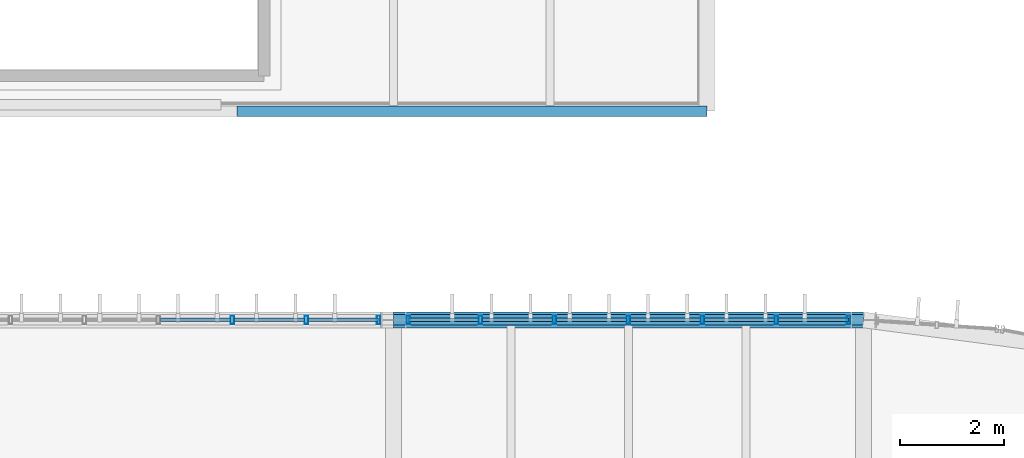
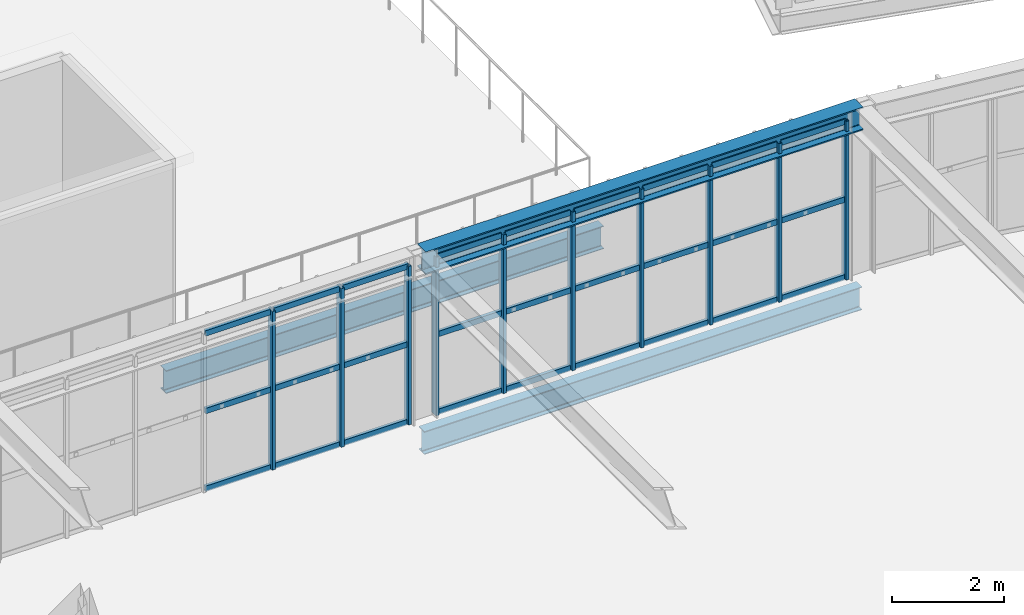
# One storey, part 71 of 152: 37 members, 3 beams, 2 elements without a shape of their own.
"""IFC4 building model written with IfcOpenShell, lengths in metres."""

from ifc_helpers import new_model, si_unit, derived_unit, direction, frame, origin, origin_2d, place, context, subcontext, project, spatial, hollow_rectangle, i_section, extrude, material, material_profile, profile_set, type_object, element, aggregate, save


model = new_model("IFC4")

# Units and contexts
model_context = context("Model", 3, precision=1e-05, world=origin(), true_north=direction((0.0, 1.0)))
body_context = subcontext(model_context, "Body", "Model", "MODEL_VIEW")
ifc_project = project(units=[si_unit("LENGTHUNIT", "METRE"), si_unit("AREAUNIT", "SQUARE_METRE"), si_unit("VOLUMEUNIT", "CUBIC_METRE"), si_unit("PLANEANGLEUNIT", "RADIAN"), si_unit("MASSUNIT", "GRAM", prefix="KILO"), si_unit("THERMODYNAMICTEMPERATUREUNIT", "KELVIN"), si_unit("TIMEUNIT", "SECOND"), derived_unit("THERMALTRANSMITTANCEUNIT", [(si_unit("MASSUNIT", "GRAM", prefix="KILO"), 1), (si_unit("THERMODYNAMICTEMPERATUREUNIT", "KELVIN"), -1), (si_unit("TIMEUNIT", "SECOND"), -3)])], contexts=[model_context])

# Site, building, storey
site_placement = place(None, origin())
site = spatial("IfcSite", under=ifc_project, at=site_placement, CompositionType="ELEMENT")
building_placement = place(site_placement, origin())
building = spatial("IfcBuilding", under=site, at=building_placement, Name="Cambertide Market Hall", CompositionType="ELEMENT")
storey_placement = place(building_placement, frame((0.0, 0.0, 5.39990234375)))
storey = spatial("IfcBuildingStorey", under=building, at=storey_placement, Name="L02", CompositionType="ELEMENT", Elevation=5.39990234375)

# Curtain wall, members
ifc_material_1 = material(Name="Marine Anodized Aluminium 6063-T6 AA25", Category="aluminium")
curtain_wall_type = type_object("IfcCurtainWallType", Name="Lantern Straight Upper Curtain Wall", PredefinedType="USERDEFINED", material=ifc_material_1)
curtain_wall_1_placement = place(storey_placement, origin())
curtain_wall_1 = element("IfcCurtainWall", 1, at=curtain_wall_1_placement, inside=storey, type_object=curtain_wall_type, Name="Level 2 Curtain Wall CW-V1N-L02-6", ObjectType="UNITIZED CURTAIN WALL", PredefinedType="USERDEFINED")
ifc_material_2 = material(Name="Champagne Marine Anodized Aluminium 6063-T6 AA25", Category="aluminium")
ifc_material_profile_1 = material_profile(ifc_material_2, hollow_rectangle(XDim=0.06494140625, YDim=0.159912109375, WallThickness=0.00341796875, at=origin_2d()), Name="ALU MULLION 65x160")
ifc_profile_set_1 = profile_set([ifc_material_profile_1], Name="Champagne Marine Anodized Aluminium 6063-T6 AA25")
member_type_1 = type_object("IfcMemberType", Name="Curtain Wall Mullion ALU MULLION 65x160", PredefinedType="MULLION", material=ifc_profile_set_1)
member_1_placement = place(storey_placement, frame((92.916748046875, 92.0, 0.0), z_axis=(0.0, 0.0, 1.0), x_axis=(1.0, 0.0, 0.0)))
member_1 = element("IfcMember", 2, at=member_1_placement, type_object=member_type_1, Name="CW-V1N-L02-6 Mullion 5", PredefinedType="MULLION", context=body_context, shape_type="SweptSolid", body=[
    extrude(hollow_rectangle(XDim=0.06494140625, YDim=0.159912109375, WallThickness=0.00341796875, at=origin_2d()), origin(), (0.0, 0.0, 1.0), 3.4501953125),
])
member_2_placement = place(storey_placement, frame((94.333251953125, 92.0, 0.0), z_axis=(0.0, 0.0, 1.0), x_axis=(1.0, 0.0, 0.0)))
member_2 = element("IfcMember", 3, at=member_2_placement, type_object=member_type_1, Name="CW-V1N-L02-6 Mullion 6", PredefinedType="MULLION", context=body_context, shape_type="SweptSolid", body=[
    extrude(hollow_rectangle(XDim=0.06494140625, YDim=0.159912109375, WallThickness=0.00341796875, at=origin_2d()), origin(), (0.0, 0.0, 1.0), 3.4501953125),
])
member_3_placement = place(storey_placement, frame((95.715087890625, 92.0, 0.0), z_axis=(0.0, 0.0, 1.0), x_axis=(1.0, 0.0, 0.0)))
member_3 = element("IfcMember", 4, at=member_3_placement, type_object=member_type_1, Name="CW-V1N-L02-6 Mullion 7", PredefinedType="MULLION", context=body_context, shape_type="SweptSolid", body=[
    extrude(hollow_rectangle(XDim=0.06494140625, YDim=0.159912109375, WallThickness=0.00341796875, at=origin_2d()), origin(), (0.0, 0.0, 1.0), 3.4501953125),
])

curtain_wall_2_placement = place(storey_placement, origin())
curtain_wall_2 = element("IfcCurtainWall", 5, at=curtain_wall_2_placement, inside=storey, type_object=curtain_wall_type, Name="Level 2 Curtain Wall CW-V1N-L02-7", ObjectType="UNITIZED CURTAIN WALL", PredefinedType="USERDEFINED")
member_4_placement = place(storey_placement, frame((96.284912109375, 92.0, 0.0), z_axis=(0.0, 0.0, 1.0), x_axis=(1.0, 0.0, 0.0)))
member_4 = element("IfcMember", 6, at=member_4_placement, type_object=member_type_1, Name="CW-V1N-L02-7 Mullion 1", PredefinedType="MULLION", context=body_context, shape_type="SweptSolid", body=[
    extrude(hollow_rectangle(XDim=0.06494140625, YDim=0.159912109375, WallThickness=0.00341796875, at=origin_2d()), origin(), (0.0, 0.0, 1.0), 3.4501953125),
])
member_5_placement = place(storey_placement, frame((97.666748046875, 92.0, 0.0), z_axis=(0.0, 0.0, 1.0), x_axis=(1.0, 0.0, 0.0)))
member_5 = element("IfcMember", 7, at=member_5_placement, type_object=member_type_1, Name="CW-V1N-L02-7 Mullion 2", PredefinedType="MULLION", context=body_context, shape_type="SweptSolid", body=[
    extrude(hollow_rectangle(XDim=0.06494140625, YDim=0.159912109375, WallThickness=0.00341796875, at=origin_2d()), origin(), (0.0, 0.0, 1.0), 3.4501953125),
])
member_6_placement = place(storey_placement, frame((99.083251953125, 92.0, 0.0), z_axis=(0.0, 0.0, 1.0), x_axis=(1.0, 0.0, 0.0)))
member_6 = element("IfcMember", 8, at=member_6_placement, type_object=member_type_1, Name="CW-V1N-L02-7 Mullion 3", PredefinedType="MULLION", context=body_context, shape_type="SweptSolid", body=[
    extrude(hollow_rectangle(XDim=0.06494140625, YDim=0.159912109375, WallThickness=0.00341796875, at=origin_2d()), origin(), (0.0, 0.0, 1.0), 3.4501953125),
])
member_7_placement = place(storey_placement, frame((100.5, 92.0, 0.0), z_axis=(0.0, 0.0, 1.0), x_axis=(1.0, 0.0, 0.0)))
member_7 = element("IfcMember", 9, at=member_7_placement, type_object=member_type_1, Name="CW-V1N-L02-7 Mullion 4", PredefinedType="MULLION", context=body_context, shape_type="SweptSolid", body=[
    extrude(hollow_rectangle(XDim=0.06494140625, YDim=0.159912109375, WallThickness=0.00341796875, at=origin_2d()), origin(), (0.0, 0.0, 1.0), 3.4501953125),
])
member_8_placement = place(storey_placement, frame((101.916748046875, 92.0, 0.0), z_axis=(0.0, 0.0, 1.0), x_axis=(1.0, 0.0, 0.0)))
member_8 = element("IfcMember", 10, at=member_8_placement, type_object=member_type_1, Name="CW-V1N-L02-7 Mullion 5", PredefinedType="MULLION", context=body_context, shape_type="SweptSolid", body=[
    extrude(hollow_rectangle(XDim=0.06494140625, YDim=0.159912109375, WallThickness=0.00341796875, at=origin_2d()), origin(), (0.0, 0.0, 1.0), 3.4501953125),
])
member_9_placement = place(storey_placement, frame((103.333251953125, 92.0, 0.0), z_axis=(0.0, 0.0, 1.0), x_axis=(1.0, 0.0, 0.0)))
member_9 = element("IfcMember", 11, at=member_9_placement, type_object=member_type_1, Name="CW-V1N-L02-7 Mullion 6", PredefinedType="MULLION", context=body_context, shape_type="SweptSolid", body=[
    extrude(hollow_rectangle(XDim=0.06494140625, YDim=0.159912109375, WallThickness=0.00341796875, at=origin_2d()), origin(), (0.0, 0.0, 1.0), 3.4501953125),
])
member_10_placement = place(storey_placement, frame((104.715087890625, 92.0, 0.0), z_axis=(0.0, 0.0, 1.0), x_axis=(1.0, 0.0, 0.0)))
member_10 = element("IfcMember", 12, at=member_10_placement, type_object=member_type_1, Name="CW-V1N-L02-7 Mullion 7", PredefinedType="MULLION", context=body_context, shape_type="SweptSolid", body=[
    extrude(hollow_rectangle(XDim=0.06494140625, YDim=0.159912109375, WallThickness=0.00341796875, at=origin_2d()), origin(), (0.0, 0.0, 1.0), 3.4501953125),
])

# Member
ifc_material_3 = material(Name="Champagne Marine Anodized Aluminium 6063-T6 AA25", Category="aluminium")
ifc_material_profile_2 = material_profile(ifc_material_3, hollow_rectangle(XDim=0.06494140625, YDim=0.1201171875, WallThickness=0.003173828125, at=origin_2d()), Name="ALU TRANSOM 65x120")
ifc_profile_set_2 = profile_set([ifc_material_profile_2], Name="Champagne Marine Anodized Aluminium 6063-T6 AA25")
member_type_2 = type_object("IfcMemberType", Name="Curtain Wall Transom ALU TRANSOM 65x120", PredefinedType="USERDEFINED", material=ifc_profile_set_2)
member_11_placement = place(storey_placement, frame((91.5400390625, 92.0, 0.03515625), z_axis=(1.0, 0.0, 0.0), x_axis=(0.0, 1.0, 0.0)))
member_11 = element("IfcMember", 13, at=member_11_placement, type_object=member_type_2, Name="CW-V1N-L02-6 Transom 1-4", ObjectType="TRANSOM", PredefinedType="USERDEFINED", context=body_context, shape_type="SweptSolid", body=[
    extrude(hollow_rectangle(XDim=0.06494140625, YDim=0.1201171875, WallThickness=0.003173828125, at=origin_2d()), origin(), (0.0, 0.0, 1.0), 1.336669921875),
])

member_12_placement = place(storey_placement, frame((92.956787109375, 92.0, 0.03515625), z_axis=(1.0, 0.0, 0.0), x_axis=(0.0, 1.0, 0.0)))
member_12 = element("IfcMember", 14, at=member_12_placement, type_object=member_type_2, Name="CW-V1N-L02-6 Transom 1-5", ObjectType="TRANSOM", PredefinedType="USERDEFINED", context=body_context, shape_type="SweptSolid", body=[
    extrude(hollow_rectangle(XDim=0.06494140625, YDim=0.1201171875, WallThickness=0.003173828125, at=origin_2d()), origin(), (0.0, 0.0, 1.0), 1.33642578125),
])

member_13_placement = place(storey_placement, frame((94.373291015625, 92.0, 0.03515625), z_axis=(1.0, 0.0, 0.0), x_axis=(0.0, 1.0, 0.0)))
member_13 = element("IfcMember", 15, at=member_13_placement, type_object=member_type_2, Name="CW-V1N-L02-6 Transom 1-6", ObjectType="TRANSOM", PredefinedType="USERDEFINED", context=body_context, shape_type="SweptSolid", body=[
    extrude(hollow_rectangle(XDim=0.06494140625, YDim=0.1201171875, WallThickness=0.003173828125, at=origin_2d()), origin(), (0.0, 0.0, 1.0), 1.336669921875),
])

member_14_placement = place(storey_placement, frame((91.5400390625, 92.0, 1.72509765625), z_axis=(1.0, 0.0, 0.0), x_axis=(0.0, 1.0, 0.0)))
member_14 = element("IfcMember", 16, at=member_14_placement, type_object=member_type_2, Name="CW-V1N-L02-6 Transom 2-4", ObjectType="TRANSOM", PredefinedType="USERDEFINED", context=body_context, shape_type="SweptSolid", body=[
    extrude(hollow_rectangle(XDim=0.06494140625, YDim=0.1201171875, WallThickness=0.003173828125, at=origin_2d()), origin(), (0.0, 0.0, 1.0), 1.336669921875),
])

member_15_placement = place(storey_placement, frame((92.956787109375, 92.0, 1.72509765625), z_axis=(1.0, 0.0, 0.0), x_axis=(0.0, 1.0, 0.0)))
member_15 = element("IfcMember", 17, at=member_15_placement, type_object=member_type_2, Name="CW-V1N-L02-6 Transom 2-5", ObjectType="TRANSOM", PredefinedType="USERDEFINED", context=body_context, shape_type="SweptSolid", body=[
    extrude(hollow_rectangle(XDim=0.06494140625, YDim=0.1201171875, WallThickness=0.003173828125, at=origin_2d()), origin(), (0.0, 0.0, 1.0), 1.33642578125),
])

member_16_placement = place(storey_placement, frame((94.373291015625, 92.0, 1.72509765625), z_axis=(1.0, 0.0, 0.0), x_axis=(0.0, 1.0, 0.0)))
member_16 = element("IfcMember", 18, at=member_16_placement, type_object=member_type_2, Name="CW-V1N-L02-6 Transom 2-6", ObjectType="TRANSOM", PredefinedType="USERDEFINED", context=body_context, shape_type="SweptSolid", body=[
    extrude(hollow_rectangle(XDim=0.06494140625, YDim=0.1201171875, WallThickness=0.003173828125, at=origin_2d()), origin(), (0.0, 0.0, 1.0), 1.336669921875),
])

member_17_placement = place(storey_placement, frame((91.5400390625, 92.0, 3.4150390625), z_axis=(1.0, 0.0, 0.0), x_axis=(0.0, 1.0, 0.0)))
member_17 = element("IfcMember", 19, at=member_17_placement, type_object=member_type_2, Name="CW-V1N-L02-6 Transom 3-4", ObjectType="TRANSOM", PredefinedType="USERDEFINED", context=body_context, shape_type="SweptSolid", body=[
    extrude(hollow_rectangle(XDim=0.06494140625, YDim=0.1201171875, WallThickness=0.003173828125, at=origin_2d()), origin(), (0.0, 0.0, 1.0), 1.336669921875),
])

member_18_placement = place(storey_placement, frame((92.956787109375, 92.0, 3.4150390625), z_axis=(1.0, 0.0, 0.0), x_axis=(0.0, 1.0, 0.0)))
member_18 = element("IfcMember", 20, at=member_18_placement, type_object=member_type_2, Name="CW-V1N-L02-6 Transom 3-5", ObjectType="TRANSOM", PredefinedType="USERDEFINED", context=body_context, shape_type="SweptSolid", body=[
    extrude(hollow_rectangle(XDim=0.06494140625, YDim=0.1201171875, WallThickness=0.003173828125, at=origin_2d()), origin(), (0.0, 0.0, 1.0), 1.33642578125),
])

member_19_placement = place(storey_placement, frame((94.373291015625, 92.0, 3.4150390625), z_axis=(1.0, 0.0, 0.0), x_axis=(0.0, 1.0, 0.0)))
member_19 = element("IfcMember", 21, at=member_19_placement, type_object=member_type_2, Name="CW-V1N-L02-6 Transom 3-6", ObjectType="TRANSOM", PredefinedType="USERDEFINED", context=body_context, shape_type="SweptSolid", body=[
    extrude(hollow_rectangle(XDim=0.06494140625, YDim=0.1201171875, WallThickness=0.003173828125, at=origin_2d()), origin(), (0.0, 0.0, 1.0), 1.336669921875),
])

aggregate(curtain_wall_1, [member_1, member_2, member_3, member_11, member_12, member_13, member_14, member_15, member_16, member_17, member_18, member_19])

member_20_placement = place(storey_placement, frame((96.2900390625, 92.0, 0.03515625), z_axis=(1.0, 0.0, 0.0), x_axis=(0.0, 1.0, 0.0)))
member_20 = element("IfcMember", 22, at=member_20_placement, type_object=member_type_2, Name="CW-V1N-L02-7 Transom 1-1", ObjectType="TRANSOM", PredefinedType="USERDEFINED", context=body_context, shape_type="SweptSolid", body=[
    extrude(hollow_rectangle(XDim=0.06494140625, YDim=0.1201171875, WallThickness=0.003173828125, at=origin_2d()), origin(), (0.0, 0.0, 1.0), 1.336669921875),
])

member_21_placement = place(storey_placement, frame((97.706787109375, 92.0, 0.03515625), z_axis=(1.0, 0.0, 0.0), x_axis=(0.0, 1.0, 0.0)))
member_21 = element("IfcMember", 23, at=member_21_placement, type_object=member_type_2, Name="CW-V1N-L02-7 Transom 1-2", ObjectType="TRANSOM", PredefinedType="USERDEFINED", context=body_context, shape_type="SweptSolid", body=[
    extrude(hollow_rectangle(XDim=0.06494140625, YDim=0.1201171875, WallThickness=0.003173828125, at=origin_2d()), origin(), (0.0, 0.0, 1.0), 1.33642578125),
])

member_22_placement = place(storey_placement, frame((99.123291015625, 92.0, 0.03515625), z_axis=(1.0, 0.0, 0.0), x_axis=(0.0, 1.0, 0.0)))
member_22 = element("IfcMember", 24, at=member_22_placement, type_object=member_type_2, Name="CW-V1N-L02-7 Transom 1-3", ObjectType="TRANSOM", PredefinedType="USERDEFINED", context=body_context, shape_type="SweptSolid", body=[
    extrude(hollow_rectangle(XDim=0.06494140625, YDim=0.1201171875, WallThickness=0.003173828125, at=origin_2d()), origin(), (0.0, 0.0, 1.0), 1.336669921875),
])

member_23_placement = place(storey_placement, frame((100.5400390625, 92.0, 0.03515625), z_axis=(1.0, 0.0, 0.0), x_axis=(0.0, 1.0, 0.0)))
member_23 = element("IfcMember", 25, at=member_23_placement, type_object=member_type_2, Name="CW-V1N-L02-7 Transom 1-4", ObjectType="TRANSOM", PredefinedType="USERDEFINED", context=body_context, shape_type="SweptSolid", body=[
    extrude(hollow_rectangle(XDim=0.06494140625, YDim=0.1201171875, WallThickness=0.003173828125, at=origin_2d()), origin(), (0.0, 0.0, 1.0), 1.336669921875),
])

member_24_placement = place(storey_placement, frame((101.956787109375, 92.0, 0.03515625), z_axis=(1.0, 0.0, 0.0), x_axis=(0.0, 1.0, 0.0)))
member_24 = element("IfcMember", 26, at=member_24_placement, type_object=member_type_2, Name="CW-V1N-L02-7 Transom 1-5", ObjectType="TRANSOM", PredefinedType="USERDEFINED", context=body_context, shape_type="SweptSolid", body=[
    extrude(hollow_rectangle(XDim=0.06494140625, YDim=0.1201171875, WallThickness=0.003173828125, at=origin_2d()), origin(), (0.0, 0.0, 1.0), 1.33642578125),
])

member_25_placement = place(storey_placement, frame((103.373291015625, 92.0, 0.03515625), z_axis=(1.0, 0.0, 0.0), x_axis=(0.0, 1.0, 0.0)))
member_25 = element("IfcMember", 27, at=member_25_placement, type_object=member_type_2, Name="CW-V1N-L02-7 Transom 1-6", ObjectType="TRANSOM", PredefinedType="USERDEFINED", context=body_context, shape_type="SweptSolid", body=[
    extrude(hollow_rectangle(XDim=0.06494140625, YDim=0.1201171875, WallThickness=0.003173828125, at=origin_2d()), origin(), (0.0, 0.0, 1.0), 1.336669921875),
])

member_26_placement = place(storey_placement, frame((96.2900390625, 92.0, 1.72509765625), z_axis=(1.0, 0.0, 0.0), x_axis=(0.0, 1.0, 0.0)))
member_26 = element("IfcMember", 28, at=member_26_placement, type_object=member_type_2, Name="CW-V1N-L02-7 Transom 2-1", ObjectType="TRANSOM", PredefinedType="USERDEFINED", context=body_context, shape_type="SweptSolid", body=[
    extrude(hollow_rectangle(XDim=0.06494140625, YDim=0.1201171875, WallThickness=0.003173828125, at=origin_2d()), origin(), (0.0, 0.0, 1.0), 1.336669921875),
])

member_27_placement = place(storey_placement, frame((97.706787109375, 92.0, 1.72509765625), z_axis=(1.0, 0.0, 0.0), x_axis=(0.0, 1.0, 0.0)))
member_27 = element("IfcMember", 29, at=member_27_placement, type_object=member_type_2, Name="CW-V1N-L02-7 Transom 2-2", ObjectType="TRANSOM", PredefinedType="USERDEFINED", context=body_context, shape_type="SweptSolid", body=[
    extrude(hollow_rectangle(XDim=0.06494140625, YDim=0.1201171875, WallThickness=0.003173828125, at=origin_2d()), origin(), (0.0, 0.0, 1.0), 1.33642578125),
])

member_28_placement = place(storey_placement, frame((99.123291015625, 92.0, 1.72509765625), z_axis=(1.0, 0.0, 0.0), x_axis=(0.0, 1.0, 0.0)))
member_28 = element("IfcMember", 30, at=member_28_placement, type_object=member_type_2, Name="CW-V1N-L02-7 Transom 2-3", ObjectType="TRANSOM", PredefinedType="USERDEFINED", context=body_context, shape_type="SweptSolid", body=[
    extrude(hollow_rectangle(XDim=0.06494140625, YDim=0.1201171875, WallThickness=0.003173828125, at=origin_2d()), origin(), (0.0, 0.0, 1.0), 1.336669921875),
])

member_29_placement = place(storey_placement, frame((100.5400390625, 92.0, 1.72509765625), z_axis=(1.0, 0.0, 0.0), x_axis=(0.0, 1.0, 0.0)))
member_29 = element("IfcMember", 31, at=member_29_placement, type_object=member_type_2, Name="CW-V1N-L02-7 Transom 2-4", ObjectType="TRANSOM", PredefinedType="USERDEFINED", context=body_context, shape_type="SweptSolid", body=[
    extrude(hollow_rectangle(XDim=0.06494140625, YDim=0.1201171875, WallThickness=0.003173828125, at=origin_2d()), origin(), (0.0, 0.0, 1.0), 1.336669921875),
])

member_30_placement = place(storey_placement, frame((101.956787109375, 92.0, 1.72509765625), z_axis=(1.0, 0.0, 0.0), x_axis=(0.0, 1.0, 0.0)))
member_30 = element("IfcMember", 32, at=member_30_placement, type_object=member_type_2, Name="CW-V1N-L02-7 Transom 2-5", ObjectType="TRANSOM", PredefinedType="USERDEFINED", context=body_context, shape_type="SweptSolid", body=[
    extrude(hollow_rectangle(XDim=0.06494140625, YDim=0.1201171875, WallThickness=0.003173828125, at=origin_2d()), origin(), (0.0, 0.0, 1.0), 1.33642578125),
])

member_31_placement = place(storey_placement, frame((103.373291015625, 92.0, 1.72509765625), z_axis=(1.0, 0.0, 0.0), x_axis=(0.0, 1.0, 0.0)))
member_31 = element("IfcMember", 33, at=member_31_placement, type_object=member_type_2, Name="CW-V1N-L02-7 Transom 2-6", ObjectType="TRANSOM", PredefinedType="USERDEFINED", context=body_context, shape_type="SweptSolid", body=[
    extrude(hollow_rectangle(XDim=0.06494140625, YDim=0.1201171875, WallThickness=0.003173828125, at=origin_2d()), origin(), (0.0, 0.0, 1.0), 1.336669921875),
])

member_32_placement = place(storey_placement, frame((96.2900390625, 92.0, 3.4150390625), z_axis=(1.0, 0.0, 0.0), x_axis=(0.0, 1.0, 0.0)))
member_32 = element("IfcMember", 34, at=member_32_placement, type_object=member_type_2, Name="CW-V1N-L02-7 Transom 3-1", ObjectType="TRANSOM", PredefinedType="USERDEFINED", context=body_context, shape_type="SweptSolid", body=[
    extrude(hollow_rectangle(XDim=0.06494140625, YDim=0.1201171875, WallThickness=0.003173828125, at=origin_2d()), origin(), (0.0, 0.0, 1.0), 1.336669921875),
])

member_33_placement = place(storey_placement, frame((97.706787109375, 92.0, 3.4150390625), z_axis=(1.0, 0.0, 0.0), x_axis=(0.0, 1.0, 0.0)))
member_33 = element("IfcMember", 35, at=member_33_placement, type_object=member_type_2, Name="CW-V1N-L02-7 Transom 3-2", ObjectType="TRANSOM", PredefinedType="USERDEFINED", context=body_context, shape_type="SweptSolid", body=[
    extrude(hollow_rectangle(XDim=0.06494140625, YDim=0.1201171875, WallThickness=0.003173828125, at=origin_2d()), origin(), (0.0, 0.0, 1.0), 1.33642578125),
])

member_34_placement = place(storey_placement, frame((99.123291015625, 92.0, 3.4150390625), z_axis=(1.0, 0.0, 0.0), x_axis=(0.0, 1.0, 0.0)))
member_34 = element("IfcMember", 36, at=member_34_placement, type_object=member_type_2, Name="CW-V1N-L02-7 Transom 3-3", ObjectType="TRANSOM", PredefinedType="USERDEFINED", context=body_context, shape_type="SweptSolid", body=[
    extrude(hollow_rectangle(XDim=0.06494140625, YDim=0.1201171875, WallThickness=0.003173828125, at=origin_2d()), origin(), (0.0, 0.0, 1.0), 1.336669921875),
])

member_35_placement = place(storey_placement, frame((100.5400390625, 92.0, 3.4150390625), z_axis=(1.0, 0.0, 0.0), x_axis=(0.0, 1.0, 0.0)))
member_35 = element("IfcMember", 37, at=member_35_placement, type_object=member_type_2, Name="CW-V1N-L02-7 Transom 3-4", ObjectType="TRANSOM", PredefinedType="USERDEFINED", context=body_context, shape_type="SweptSolid", body=[
    extrude(hollow_rectangle(XDim=0.06494140625, YDim=0.1201171875, WallThickness=0.003173828125, at=origin_2d()), origin(), (0.0, 0.0, 1.0), 1.336669921875),
])

member_36_placement = place(storey_placement, frame((101.956787109375, 92.0, 3.4150390625), z_axis=(1.0, 0.0, 0.0), x_axis=(0.0, 1.0, 0.0)))
member_36 = element("IfcMember", 38, at=member_36_placement, type_object=member_type_2, Name="CW-V1N-L02-7 Transom 3-5", ObjectType="TRANSOM", PredefinedType="USERDEFINED", context=body_context, shape_type="SweptSolid", body=[
    extrude(hollow_rectangle(XDim=0.06494140625, YDim=0.1201171875, WallThickness=0.003173828125, at=origin_2d()), origin(), (0.0, 0.0, 1.0), 1.33642578125),
])

member_37_placement = place(storey_placement, frame((103.373291015625, 92.0, 3.4150390625), z_axis=(1.0, 0.0, 0.0), x_axis=(0.0, 1.0, 0.0)))
member_37 = element("IfcMember", 39, at=member_37_placement, type_object=member_type_2, Name="CW-V1N-L02-7 Transom 3-6", ObjectType="TRANSOM", PredefinedType="USERDEFINED", context=body_context, shape_type="SweptSolid", body=[
    extrude(hollow_rectangle(XDim=0.06494140625, YDim=0.1201171875, WallThickness=0.003173828125, at=origin_2d()), origin(), (0.0, 0.0, 1.0), 1.336669921875),
])

aggregate(curtain_wall_2, [member_4, member_5, member_6, member_7, member_8, member_9, member_10, member_20, member_21, member_22, member_23, member_24, member_25, member_26, member_27, member_28, member_29, member_30, member_31, member_32, member_33, member_34, member_35, member_36, member_37])

# Beams
ifc_material_4 = material(Name="Steel S355", Category="steel")
ifc_material_profile_3 = material_profile(ifc_material_4, i_section(OverallWidth=0.300048828125, OverallDepth=0.5, WebThickness=0.014404296875, FlangeThickness=0.028076171875, FilletRadius=0.027099609375, at=origin_2d()), Name="HEB 500")
ifc_profile_set_3 = profile_set([ifc_material_profile_3], Name="Steel S355")
beam_type_1 = type_object("IfcBeamType", Name="Exterior Steel Girder HEB 500", PredefinedType="BEAM", material=ifc_profile_set_3)
beam_1_placement = place(storey_placement, frame((96.0, 92.0, 3.4501953125), z_axis=(1.0, 0.0, 0.0), x_axis=(0.0, 1.0, 0.0)))
element("IfcBeam", 40, at=beam_1_placement, inside=storey, type_object=beam_type_1, Name="Level 2 Beam EAVE-V1N-7", PredefinedType="BEAM", context=body_context, shape_type="SweptSolid", body=[
    extrude(i_section(OverallWidth=0.300048828125, OverallDepth=0.5, WebThickness=0.014404296875, FlangeThickness=0.028076171875, FilletRadius=0.027099609375, at=origin_2d()), origin(), (0.0, 0.0, 1.0), 9.0),
])
ifc_material_5 = material(Name="Steel S355", Category="steel")
ifc_material_profile_4 = material_profile(ifc_material_5, i_section(OverallWidth=0.199951171875, OverallDepth=0.5, WebThickness=0.01025390625, FlangeThickness=0.01611328125, FilletRadius=0.02099609375, at=origin_2d()), Name="IPE 500")
ifc_profile_set_4 = profile_set([ifc_material_profile_4], Name="Steel S355")
beam_type_2 = type_object("IfcBeamType", Name="Perimeter Spandrel Beam IPE 500", PredefinedType="SPANDREL", material=ifc_profile_set_4)
beam_2_placement = place(storey_placement, frame((96.0, 92.0, -0.489990234375), z_axis=(1.0, 0.0, 0.0), x_axis=(0.0, 1.0, 0.0)))
element("IfcBeam", 41, at=beam_2_placement, inside=storey, type_object=beam_type_2, Name="Level 2 Spandrel BM-V1N-L02-7", PredefinedType="SPANDREL", context=body_context, shape_type="SweptSolid", body=[
    extrude(i_section(OverallWidth=0.199951171875, OverallDepth=0.5, WebThickness=0.01025390625, FlangeThickness=0.01611328125, FilletRadius=0.02099609375, at=origin_2d()), origin(), (0.0, 0.0, 1.0), 9.0),
])
ifc_material_6 = material(Name="Steel S355", Category="steel")
ifc_material_profile_5 = material_profile(ifc_material_6, i_section(OverallWidth=0.199951171875, OverallDepth=0.5, WebThickness=0.01025390625, FlangeThickness=0.01611328125, FilletRadius=0.02099609375, at=origin_2d()), Name="IPE 500")
ifc_profile_set_5 = profile_set([ifc_material_profile_5], Name="Steel S355")
beam_type_3 = type_object("IfcBeamType", Name="Steel Girder IPE 500", PredefinedType="BEAM", material=ifc_profile_set_5)
beam_3_placement = place(storey_placement, frame((93.0, 96.0, -0.539794921875), z_axis=(1.0, 0.0, 0.0), x_axis=(0.0, 1.0, 0.0)))
element("IfcBeam", 42, at=beam_3_placement, inside=storey, type_object=beam_type_3, Name="Level 2 Beam BM-V2X-L02-10-1", PredefinedType="BEAM", context=body_context, shape_type="SweptSolid", body=[
    extrude(i_section(OverallWidth=0.199951171875, OverallDepth=0.5, WebThickness=0.01025390625, FlangeThickness=0.01611328125, FilletRadius=0.02099609375, at=origin_2d()), origin(), (0.0, 0.0, 1.0), 9.0),
])

save(model, "model.ifc")
